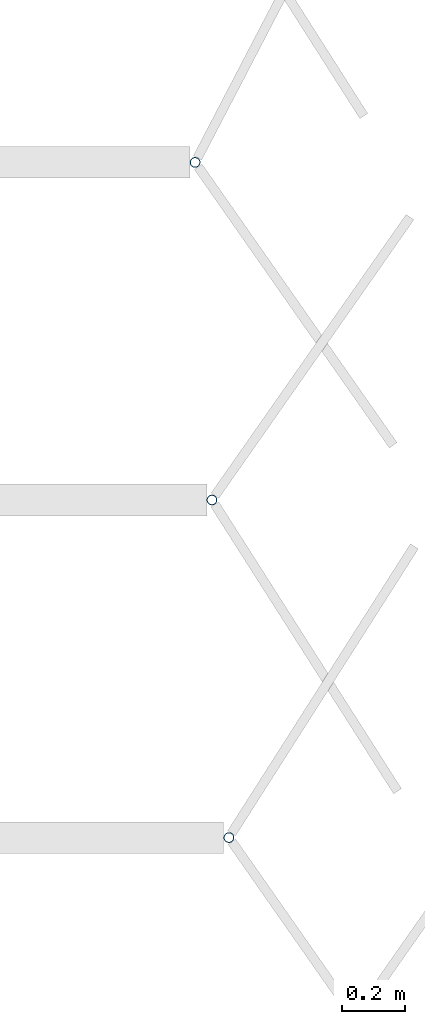
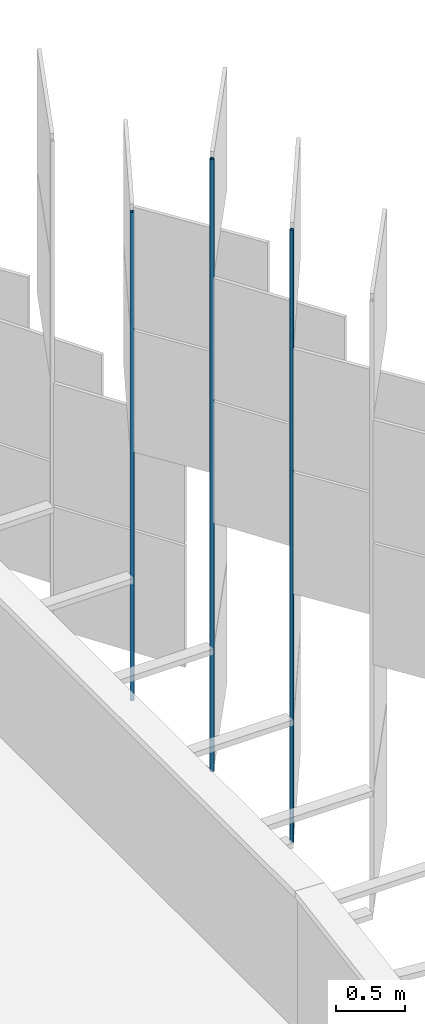
# One storey, part 177 of 483: 3 discrete accessories.
"""IFC4 building model written with IfcOpenShell, lengths in metres."""

from ifc_helpers import new_model, si_unit, direction, frame, origin, origin_2d, place, context, subcontext, project, spatial, hollow_circle, extrude, material, material_profile, profile_set, type_object, element, save


model = new_model("IFC4")

# Units and contexts
model_context = context("Model", 3, precision=1e-05, world=origin(), true_north=direction((0.0, 1.0)))
body_context = subcontext(model_context, "Body", "Model", "MODEL_VIEW")
ifc_project = project(units=[si_unit("LENGTHUNIT", "METRE"), si_unit("AREAUNIT", "SQUARE_METRE"), si_unit("VOLUMEUNIT", "CUBIC_METRE"), si_unit("PLANEANGLEUNIT", "RADIAN"), si_unit("MASSUNIT", "GRAM", prefix="KILO")], contexts=[model_context])

# Site, building, storey
site_placement = place(None, origin())
site = spatial("IfcSite", under=ifc_project, at=site_placement, CompositionType="ELEMENT")
building_placement = place(site_placement, origin())
building = spatial("IfcBuilding", under=site, at=building_placement, Name="Parallax Yard Mobility Hub", CompositionType="ELEMENT")
storey_placement = place(building_placement, frame((0.0, 0.0, 13.199951171875)))
storey = spatial("IfcBuildingStorey", under=building, at=storey_placement, Name="L04", CompositionType="ELEMENT", Elevation=13.199951171875)

# Discrete accessories
ifc_material = material(Name="Steel ASTM A500 Gr C, hot-dip galvanised", Category="steel")
ifc_material_profile = material_profile(ifc_material, hollow_circle(Radius=0.016845703125, WallThickness=0.003173828125, at=origin_2d()), Name="CHS 33.7x3.2")
ifc_profile_set = profile_set([ifc_material_profile], Name="Steel ASTM A500 Gr C, hot-dip galvanised")
discrete_accessory_type = type_object("IfcDiscreteAccessoryType", Name="Hinge post CHS 33.7x3.2", PredefinedType="BRACKET", material=ifc_profile_set)
for number, where, z_axis, x_axis, name in (
    (1, (225.930419921875, 32.12890625, 0.0), (0.0, 0.0, 1.0), (1.0, 0.0, 0.0), "Hinge post bay 33.3 level L04"),
    (2, (225.876708984375, 33.20068359375, 0.0), (0.0, 0.0, 1.0), (1.0, 0.0, 0.0), "Hinge post bay 33.4 level L04"),
):
    element("IfcDiscreteAccessory", number, at=place(storey_placement, frame(where, z_axis=z_axis, x_axis=x_axis)), inside=storey, type_object=discrete_accessory_type, Name=name, PredefinedType="BRACKET", context=body_context, shape_type="SweptSolid", body=[
        extrude(hollow_circle(Radius=0.016845703125, WallThickness=0.003173828125, at=origin_2d()), origin(), (0.0, 0.0, 1.0), 5.449951171875),
    ])
discrete_accessory_placement = place(storey_placement, frame((225.8232421875, 34.2724609375, 0.0), z_axis=(0.0, 0.0, 1.0), x_axis=(1.0, 0.0, 0.0)))
element("IfcDiscreteAccessory", 3, at=discrete_accessory_placement, inside=storey, type_object=discrete_accessory_type, Name="Hinge post bay 33.5 level L04", PredefinedType="BRACKET", context=body_context, shape_type="SweptSolid", body=[
    extrude(hollow_circle(Radius=0.016845703125, WallThickness=0.003173828125, at=origin_2d()), origin(), (0.0, 0.0, 1.0), 4.35009765625),
])

save(model, "model.ifc")
